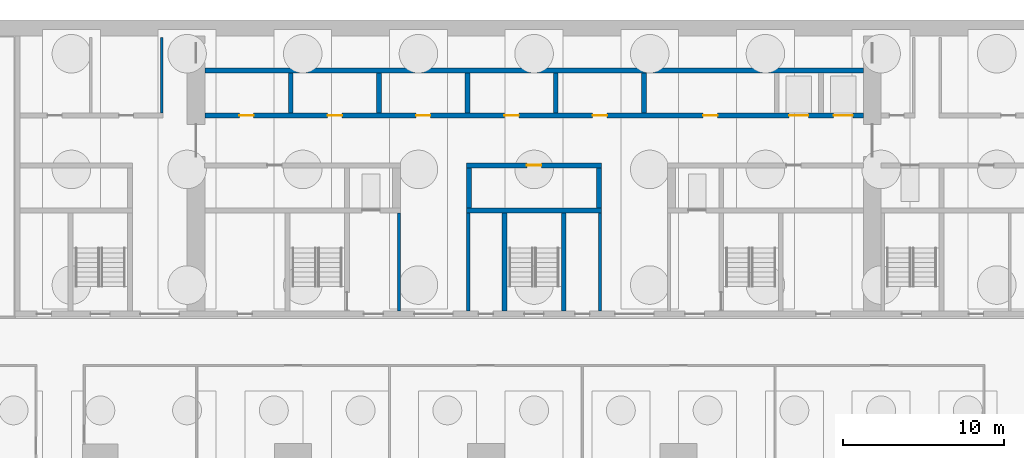
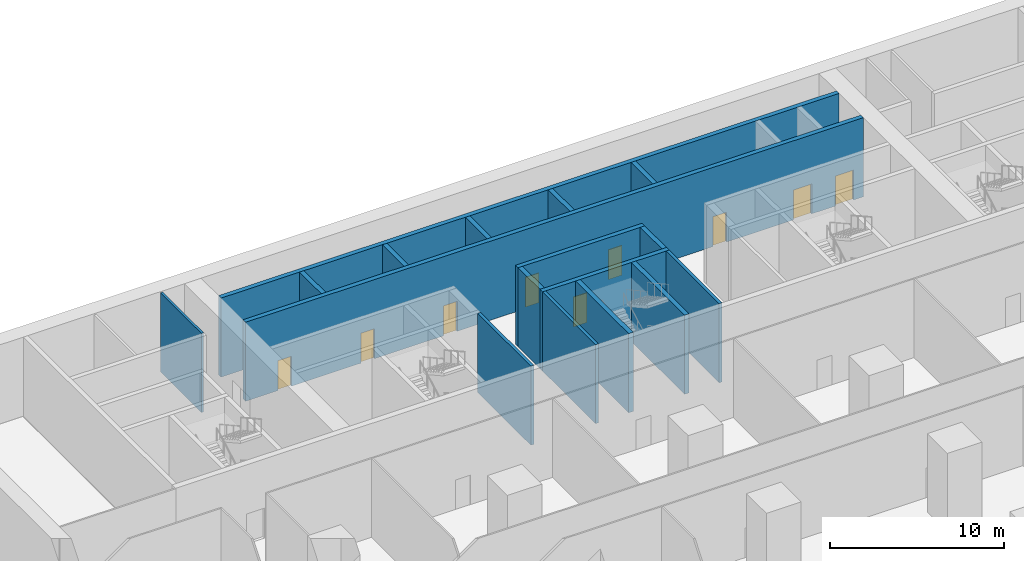
# One storey, part 5 of 11: 17 walls, 9 doors, 9 openings.
"""IFC4 building model written with IfcOpenShell, lengths in metres."""

from ifc_helpers import new_model, si_unit, direction, frame, frame_2d, origin, place, context, subcontext, project, spatial, rectangle, extrude, material, layer, layer_set, type_object, element, fill, save


model = new_model("IFC4")

# Units and contexts
model_context = context("Model", 3, precision=1e-05, world=origin(), true_north=direction((0.0, 1.0)))
body_context = subcontext(model_context, "Body", "Model", "MODEL_VIEW")
ifc_project = project(units=[si_unit("LENGTHUNIT", "METRE"), si_unit("AREAUNIT", "SQUARE_METRE"), si_unit("VOLUMEUNIT", "CUBIC_METRE"), si_unit("PLANEANGLEUNIT", "RADIAN"), si_unit("MASSUNIT", "GRAM", prefix="KILO")], contexts=[model_context])

# Site, building, storey
site_placement = place(None, origin())
site = spatial("IfcSite", under=ifc_project, at=site_placement, CompositionType="ELEMENT")
building_placement = place(site_placement, origin())
building = spatial("IfcBuilding", under=site, at=building_placement, Name="Calvaro Tower", CompositionType="ELEMENT")
storey_placement = place(building_placement, frame((0.0, 0.0, -12.0)))
storey = spatial("IfcBuildingStorey", under=building, at=storey_placement, Name="B2", CompositionType="ELEMENT", Elevation=-12.0)

# Walls
ifc_material_1 = material(Name="Blockwork partition", Category="masonry")
ifc_layer_1 = layer(ifc_material_1, 0.14990234375)
ifc_layer_set_1 = layer_set([ifc_layer_1], Name="Blockwork partition")
wall_type_1 = type_object("IfcWallType", Name="Core partition 150 REI 120", PredefinedType="PARTITIONING", material=ifc_layer_set_1)
wall_1_placement = place(storey_placement, frame((15.824951171875, 40.699951171875, 0.0), z_axis=(0.0, 0.0, 1.0), x_axis=(0.0, 1.0, 0.0)))
element("IfcWall", 1, at=wall_1_placement, inside=storey, type_object=wall_type_1, Name="Core partition", PredefinedType="PARTITIONING", context=body_context, shape_type="SweptSolid", body=[
    extrude(rectangle(XDim=4.699951171875, YDim=0.14990234375, at=frame_2d((2.35009765625, 0.0))), origin(), (0.0, 0.0, 1.0), 5.550048828125),
])
ifc_material_2 = material(Name="Blockwork partition", Category="masonry")
ifc_layer_2 = layer(ifc_material_2, 0.199951171875)
ifc_layer_set_2 = layer_set([ifc_layer_2], Name="Blockwork partition")
wall_type_2 = type_object("IfcWallType", Name="Core partition 200 REI 120", PredefinedType="PARTITIONING", material=ifc_layer_set_2)
for number, where, z_axis, x_axis, name in (
    (2, (30.60009765625, 28.39990234375, 0.0), (0.0, 0.0, 1.0), (0.0, 1.0, 0.0), "Core partition"),
    (3, (34.89990234375, 28.39990234375, 0.0), (0.0, 0.0, 1.0), (0.0, 1.0, 0.0), "Core partition"),
    (4, (43.10009765625, 28.39990234375, 0.0), (0.0, 0.0, 1.0), (0.0, 1.0, 0.0), "Core partition"),
):
    element("IfcWall", number, at=place(storey_placement, frame(where, z_axis=z_axis, x_axis=x_axis)), inside=storey, type_object=wall_type_2, Name=name, PredefinedType="PARTITIONING", context=body_context, shape_type="SweptSolid", body=[
        extrude(rectangle(XDim=6.10009765625, YDim=0.199951171875, at=frame_2d((3.050048828125, 0.0))), origin(), (0.0, 0.0, 1.0), 5.550048828125),
    ])
ifc_material_3 = material(Name="Blockwork partition", Category="masonry")
ifc_layer_3 = layer(ifc_material_3, 0.300048828125)
ifc_layer_set_3 = layer_set([ifc_layer_3], Name="Blockwork partition")
wall_type_3 = type_object("IfcWallType", Name="Core partition 300 REI 120", PredefinedType="PARTITIONING", material=ifc_layer_set_3)
for number, where, z_axis, x_axis, name in (
    (5, (23.85009765625, 40.699951171875, 0.0), (0.0, 0.0, 1.0), (0.0, 1.0, 0.0), "Core partition"),
    (6, (29.35009765625, 40.699951171875, 0.0), (0.0, 0.0, 1.0), (0.0, 1.0, 0.0), "Core partition"),
    (7, (34.85009765625, 40.699951171875, 0.0), (0.0, 0.0, 1.0), (0.0, 1.0, 0.0), "Core partition"),
    (8, (40.35009765625, 40.699951171875, 0.0), (0.0, 0.0, 1.0), (0.0, 1.0, 0.0), "Core partition"),
    (9, (45.85009765625, 40.699951171875, 0.0), (0.0, 0.0, 1.0), (0.0, 1.0, 0.0), "Core partition"),
):
    element("IfcWall", number, at=place(storey_placement, frame(where, z_axis=z_axis, x_axis=x_axis)), inside=storey, type_object=wall_type_3, Name=name, PredefinedType="PARTITIONING", context=body_context, shape_type="SweptSolid", body=[
        extrude(rectangle(XDim=2.5, YDim=0.300048828125, at=frame_2d((1.25, 0.0))), origin(), (0.0, 0.0, 1.0), 5.550048828125),
    ])
ifc_material_4 = material(Name="Concrete C80/95", Category="concrete")
ifc_layer_4 = layer(ifc_material_4, 0.300048828125)
ifc_layer_set_4 = layer_set([ifc_layer_4], Name="Concrete C80/95")
wall_type_4 = type_object("IfcWallType", Name="Core wall C80/95 300", PredefinedType="SHEAR", material=ifc_layer_set_4)
for number, where, z_axis, x_axis, name in (
    (10, (37.14990234375, 28.39990234375, 0.0), (0.0, 0.0, 1.0), (0.0, 1.0, 0.0), "Core wall, stair enclosure"),
    (11, (40.85009765625, 28.39990234375, 0.0), (0.0, 0.0, 1.0), (0.0, 1.0, 0.0), "Core wall, stair enclosure"),
):
    element("IfcWall", number, at=place(storey_placement, frame(where, z_axis=z_axis, x_axis=x_axis)), inside=storey, type_object=wall_type_4, Name=name, PredefinedType="SHEAR", context=body_context, shape_type="SweptSolid", body=[
        extrude(rectangle(XDim=6.10009765625, YDim=0.300048828125, at=frame_2d((3.050048828125, 0.0))), origin(), (0.0, 0.0, 1.0), 5.550048828125),
    ])
wall_2_placement = place(storey_placement, frame((34.800048828125, 34.64990234375, 0.0), z_axis=(0.0, 0.0, 1.0), x_axis=(1.0, 0.0, 0.0)))
element("IfcWall", 12, at=wall_2_placement, inside=storey, type_object=wall_type_4, Name="Core wall, lift shaft", PredefinedType="SHEAR", context=body_context, shape_type="SweptSolid", body=[
    extrude(rectangle(XDim=8.39990234375, YDim=0.300048828125, at=frame_2d((4.199951171875, 0.0))), origin(), (0.0, 0.0, 1.0), 5.550048828125),
])

# Wall, opening, door
wall_3_placement = place(storey_placement, frame((43.199951171875, 37.449951171875, 0.0), z_axis=(0.0, 0.0, 1.0), x_axis=(-1.0, 0.0, 0.0)))
wall_3 = element("IfcWall", 13, at=wall_3_placement, inside=storey, type_object=wall_type_4, Name="Core wall, bay", PredefinedType="SHEAR", context=body_context, shape_type="SweptSolid", body=[
    extrude(rectangle(XDim=8.39990234375, YDim=0.300048828125, at=frame_2d((4.199951171875, 0.0))), origin(), (0.0, 0.0, 1.0), 5.550048828125),
])
opening_1_placement = place(wall_3_placement, frame((3.75, 0.0, 0.0)))
opening_1 = element("IfcOpeningElement", 14, at=opening_1_placement, cuts=wall_3, Name="Opening RD9E", PredefinedType="OPENING", context=body_context, shape_type="SweptSolid", body=[
    extrude(rectangle(XDim=0.89990234375, YDim=2.10009765625, at=frame_2d((0.449951171875, 1.050048828125))), frame((0.0, 0.159912109375, 0.0), z_axis=(0.0, -1.0, 0.0), x_axis=(1.0, 0.0, 0.0)), (0.0, 0.0, 1.0), 0.320068359375),
])
ifc_material_5 = material(Name="Steel door set", Category="steel")
door_type_1 = type_object("IfcDoorType", Name="Room door 900 FD60", OperationType="SINGLE_SWING_LEFT", PredefinedType="DOOR", material=ifc_material_5)
door_1_placement = place(opening_1_placement, origin())
door_1 = element("IfcDoor", 15, at=door_1_placement, inside=storey, type_object=door_type_1, Name="Room door", OperationType="SINGLE_SWING_RIGHT", OverallHeight=2.10009765625, OverallWidth=0.89990234375, PredefinedType="DOOR", context=body_context, shape_type="SweptSolid", body=[
    extrude(rectangle(XDim=0.89990234375, YDim=2.10009765625, at=frame_2d((0.449951171875, 1.050048828125))), frame((0.0, 0.02490234375, 0.0), z_axis=(0.0, -1.0, 0.0), x_axis=(1.0, 0.0, 0.0)), (0.0, 0.0, 1.0), 0.050048828125),
])
fill(opening_1, door_1)

# Walls
for number, where, z_axis, x_axis, name in (
    (16, (34.949951171875, 34.800048828125, 0.0), (0.0, 0.0, 1.0), (0.0, 1.0, 0.0), "Core wall, lift shaft"),
    (17, (43.050048828125, 34.800048828125, 0.0), (0.0, 0.0, 1.0), (0.0, 1.0, 0.0), "Core wall, lift shaft"),
):
    element("IfcWall", number, at=place(storey_placement, frame(where, z_axis=z_axis, x_axis=x_axis)), inside=storey, type_object=wall_type_4, Name=name, PredefinedType="SHEAR", context=body_context, shape_type="SweptSolid", body=[
        extrude(rectangle(XDim=2.5, YDim=0.300048828125, at=frame_2d((1.25, 0.0))), origin(), (0.0, 0.0, 1.0), 5.550048828125),
    ])

# Wall, openings, doors
wall_4_placement = place(storey_placement, frame((18.5, 40.550048828125, 0.0), z_axis=(0.0, 0.0, 1.0), x_axis=(1.0, 0.0, 0.0)))
wall_4 = element("IfcWall", 18, at=wall_4_placement, inside=storey, type_object=wall_type_4, Name="Core wall, bay", PredefinedType="SHEAR", context=body_context, shape_type="SweptSolid", body=[
    extrude(rectangle(XDim=41.0, YDim=0.300048828125, at=frame_2d((20.5, 0.0))), origin(), (0.0, 0.0, 1.0), 5.550048828125),
])
opening_2_placement = place(wall_4_placement, frame((2.14990234375, 0.0, 0.0)))
opening_2 = element("IfcOpeningElement", 19, at=opening_2_placement, cuts=wall_4, Name="Opening RD9E", PredefinedType="OPENING", context=body_context, shape_type="SweptSolid", body=[
    extrude(rectangle(XDim=0.89990234375, YDim=2.10009765625, at=frame_2d((0.449951171875, 1.050048828125))), frame((0.0, 0.159912109375, 0.0), z_axis=(0.0, -1.0, 0.0), x_axis=(1.0, 0.0, 0.0)), (0.0, 0.0, 1.0), 0.320068359375),
])
opening_3_placement = place(wall_4_placement, frame((7.64990234375, 0.0, 0.0)))
opening_3 = element("IfcOpeningElement", 20, at=opening_3_placement, cuts=wall_4, Name="Opening RD9E", PredefinedType="OPENING", context=body_context, shape_type="SweptSolid", body=[
    extrude(rectangle(XDim=0.89990234375, YDim=2.10009765625, at=frame_2d((0.449951171875, 1.050048828125))), frame((0.0, 0.159912109375, 0.0), z_axis=(0.0, -1.0, 0.0), x_axis=(1.0, 0.0, 0.0)), (0.0, 0.0, 1.0), 0.320068359375),
])
opening_4_placement = place(wall_4_placement, frame((13.14990234375, 0.0, 0.0)))
opening_4 = element("IfcOpeningElement", 21, at=opening_4_placement, cuts=wall_4, Name="Opening RD9E", PredefinedType="OPENING", context=body_context, shape_type="SweptSolid", body=[
    extrude(rectangle(XDim=0.89990234375, YDim=2.10009765625, at=frame_2d((0.449951171875, 1.050048828125))), frame((0.0, 0.159912109375, 0.0), z_axis=(0.0, -1.0, 0.0), x_axis=(1.0, 0.0, 0.0)), (0.0, 0.0, 1.0), 0.320068359375),
])
opening_5_placement = place(wall_4_placement, frame((18.64990234375, 0.0, 0.0)))
opening_5 = element("IfcOpeningElement", 22, at=opening_5_placement, cuts=wall_4, Name="Opening RD9E", PredefinedType="OPENING", context=body_context, shape_type="SweptSolid", body=[
    extrude(rectangle(XDim=0.89990234375, YDim=2.10009765625, at=frame_2d((0.449951171875, 1.050048828125))), frame((0.0, 0.159912109375, 0.0), z_axis=(0.0, -1.0, 0.0), x_axis=(1.0, 0.0, 0.0)), (0.0, 0.0, 1.0), 0.320068359375),
])
opening_6_placement = place(wall_4_placement, frame((24.14990234375, 0.0, 0.0)))
opening_6 = element("IfcOpeningElement", 23, at=opening_6_placement, cuts=wall_4, Name="Opening RD9E", PredefinedType="OPENING", context=body_context, shape_type="SweptSolid", body=[
    extrude(rectangle(XDim=0.89990234375, YDim=2.10009765625, at=frame_2d((0.449951171875, 1.050048828125))), frame((0.0, 0.159912109375, 0.0), z_axis=(0.0, -1.0, 0.0), x_axis=(1.0, 0.0, 0.0)), (0.0, 0.0, 1.0), 0.320068359375),
])
opening_7_placement = place(wall_4_placement, frame((31.02490234375, 0.0, 0.0)))
opening_7 = element("IfcOpeningElement", 24, at=opening_7_placement, cuts=wall_4, Name="Opening RD9E", PredefinedType="OPENING", context=body_context, shape_type="SweptSolid", body=[
    extrude(rectangle(XDim=0.89990234375, YDim=2.10009765625, at=frame_2d((0.449951171875, 1.050048828125))), frame((0.0, 0.159912109375, 0.0), z_axis=(0.0, -1.0, 0.0), x_axis=(1.0, 0.0, 0.0)), (0.0, 0.0, 1.0), 0.320068359375),
])
opening_8_placement = place(wall_4_placement, frame((36.375, 0.0, 0.0)))
opening_8 = element("IfcOpeningElement", 25, at=opening_8_placement, cuts=wall_4, Name="Opening SV1", PredefinedType="OPENING", context=body_context, shape_type="SweptSolid", body=[
    extrude(rectangle(XDim=1.199951171875, YDim=2.10009765625, at=frame_2d((0.60009765625, 1.050048828125))), frame((0.0, 0.159912109375, 0.0), z_axis=(0.0, -1.0, 0.0), x_axis=(1.0, 0.0, 0.0)), (0.0, 0.0, 1.0), 0.320068359375),
])
opening_9_placement = place(wall_4_placement, frame((39.14990234375, 0.0, 0.0)))
opening_9 = element("IfcOpeningElement", 26, at=opening_9_placement, cuts=wall_4, Name="Opening SV2", PredefinedType="OPENING", context=body_context, shape_type="SweptSolid", body=[
    extrude(rectangle(XDim=1.199951171875, YDim=2.10009765625, at=frame_2d((0.60009765625, 1.050048828125))), frame((0.0, 0.159912109375, 0.0), z_axis=(0.0, -1.0, 0.0), x_axis=(1.0, 0.0, 0.0)), (0.0, 0.0, 1.0), 0.320068359375),
])
ifc_material_6 = material(Name="Stainless steel", Category="steel")
door_type_2 = type_object("IfcDoorType", Name="Landing door 1200 E 60", OperationType="SLIDING_TO_LEFT", PredefinedType="DOOR", material=ifc_material_6)
door_2_placement = place(opening_8_placement, origin())
door_2 = element("IfcDoor", 27, at=door_2_placement, inside=storey, type_object=door_type_2, Name="Landing door SV1", OperationType="SLIDING_TO_LEFT", OverallHeight=2.10009765625, OverallWidth=1.199951171875, PredefinedType="DOOR", context=body_context, shape_type="SweptSolid", body=[
    extrude(rectangle(XDim=1.199951171875, YDim=2.10009765625, at=frame_2d((0.60009765625, 1.050048828125))), frame((0.0, 0.02490234375, 0.0), z_axis=(0.0, -1.0, 0.0), x_axis=(1.0, 0.0, 0.0)), (0.0, 0.0, 1.0), 0.050048828125),
])
fill(opening_8, door_2)
door_3_placement = place(opening_9_placement, origin())
door_3 = element("IfcDoor", 28, at=door_3_placement, inside=storey, type_object=door_type_2, Name="Landing door SV2", OperationType="SLIDING_TO_LEFT", OverallHeight=2.10009765625, OverallWidth=1.199951171875, PredefinedType="DOOR", context=body_context, shape_type="SweptSolid", body=[
    extrude(rectangle(XDim=1.199951171875, YDim=2.10009765625, at=frame_2d((0.60009765625, 1.050048828125))), frame((0.0, 0.02490234375, 0.0), z_axis=(0.0, -1.0, 0.0), x_axis=(1.0, 0.0, 0.0)), (0.0, 0.0, 1.0), 0.050048828125),
])
fill(opening_9, door_3)
door_4_placement = place(opening_2_placement, origin())
door_4 = element("IfcDoor", 29, at=door_4_placement, inside=storey, type_object=door_type_1, Name="Room door", OperationType="SINGLE_SWING_RIGHT", OverallHeight=2.10009765625, OverallWidth=0.89990234375, PredefinedType="DOOR", context=body_context, shape_type="SweptSolid", body=[
    extrude(rectangle(XDim=0.89990234375, YDim=2.10009765625, at=frame_2d((0.449951171875, 1.050048828125))), frame((0.0, 0.02490234375, 0.0), z_axis=(0.0, -1.0, 0.0), x_axis=(1.0, 0.0, 0.0)), (0.0, 0.0, 1.0), 0.050048828125),
])
fill(opening_2, door_4)
door_5_placement = place(opening_3_placement, origin())
door_5 = element("IfcDoor", 30, at=door_5_placement, inside=storey, type_object=door_type_1, Name="Room door", OperationType="SINGLE_SWING_RIGHT", OverallHeight=2.10009765625, OverallWidth=0.89990234375, PredefinedType="DOOR", context=body_context, shape_type="SweptSolid", body=[
    extrude(rectangle(XDim=0.89990234375, YDim=2.10009765625, at=frame_2d((0.449951171875, 1.050048828125))), frame((0.0, 0.02490234375, 0.0), z_axis=(0.0, -1.0, 0.0), x_axis=(1.0, 0.0, 0.0)), (0.0, 0.0, 1.0), 0.050048828125),
])
fill(opening_3, door_5)
door_6_placement = place(opening_4_placement, origin())
door_6 = element("IfcDoor", 31, at=door_6_placement, inside=storey, type_object=door_type_1, Name="Room door", OperationType="SINGLE_SWING_LEFT", OverallHeight=2.10009765625, OverallWidth=0.89990234375, PredefinedType="DOOR", context=body_context, shape_type="SweptSolid", body=[
    extrude(rectangle(XDim=0.89990234375, YDim=2.10009765625, at=frame_2d((0.449951171875, 1.050048828125))), frame((0.0, 0.02490234375, 0.0), z_axis=(0.0, -1.0, 0.0), x_axis=(1.0, 0.0, 0.0)), (0.0, 0.0, 1.0), 0.050048828125),
])
fill(opening_4, door_6)
door_7_placement = place(opening_5_placement, origin())
door_7 = element("IfcDoor", 32, at=door_7_placement, inside=storey, type_object=door_type_1, Name="Room door", OperationType="SINGLE_SWING_LEFT", OverallHeight=2.10009765625, OverallWidth=0.89990234375, PredefinedType="DOOR", context=body_context, shape_type="SweptSolid", body=[
    extrude(rectangle(XDim=0.89990234375, YDim=2.10009765625, at=frame_2d((0.449951171875, 1.050048828125))), frame((0.0, 0.02490234375, 0.0), z_axis=(0.0, -1.0, 0.0), x_axis=(1.0, 0.0, 0.0)), (0.0, 0.0, 1.0), 0.050048828125),
])
fill(opening_5, door_7)
door_8_placement = place(opening_6_placement, origin())
door_8 = element("IfcDoor", 33, at=door_8_placement, inside=storey, type_object=door_type_1, Name="Room door", OperationType="SINGLE_SWING_LEFT", OverallHeight=2.10009765625, OverallWidth=0.89990234375, PredefinedType="DOOR", context=body_context, shape_type="SweptSolid", body=[
    extrude(rectangle(XDim=0.89990234375, YDim=2.10009765625, at=frame_2d((0.449951171875, 1.050048828125))), frame((0.0, 0.02490234375, 0.0), z_axis=(0.0, -1.0, 0.0), x_axis=(1.0, 0.0, 0.0)), (0.0, 0.0, 1.0), 0.050048828125),
])
fill(opening_6, door_8)
door_9_placement = place(opening_7_placement, origin())
door_9 = element("IfcDoor", 34, at=door_9_placement, inside=storey, type_object=door_type_1, Name="Room door", OperationType="SINGLE_SWING_LEFT", OverallHeight=2.10009765625, OverallWidth=0.89990234375, PredefinedType="DOOR", context=body_context, shape_type="SweptSolid", body=[
    extrude(rectangle(XDim=0.89990234375, YDim=2.10009765625, at=frame_2d((0.449951171875, 1.050048828125))), frame((0.0, 0.02490234375, 0.0), z_axis=(0.0, -1.0, 0.0), x_axis=(1.0, 0.0, 0.0)), (0.0, 0.0, 1.0), 0.050048828125),
])
fill(opening_7, door_9)

# Wall
wall_5_placement = place(storey_placement, frame((18.5, 43.35009765625, 0.0), z_axis=(0.0, 0.0, 1.0), x_axis=(1.0, 0.0, 0.0)))
element("IfcWall", 35, at=wall_5_placement, inside=storey, type_object=wall_type_4, Name="Core wall, lift shaft", PredefinedType="SHEAR", context=body_context, shape_type="SweptSolid", body=[
    extrude(rectangle(XDim=41.0, YDim=0.300048828125, at=frame_2d((20.5, 0.0))), origin(), (0.0, 0.0, 1.0), 5.550048828125),
])

save(model, "model.ifc")
